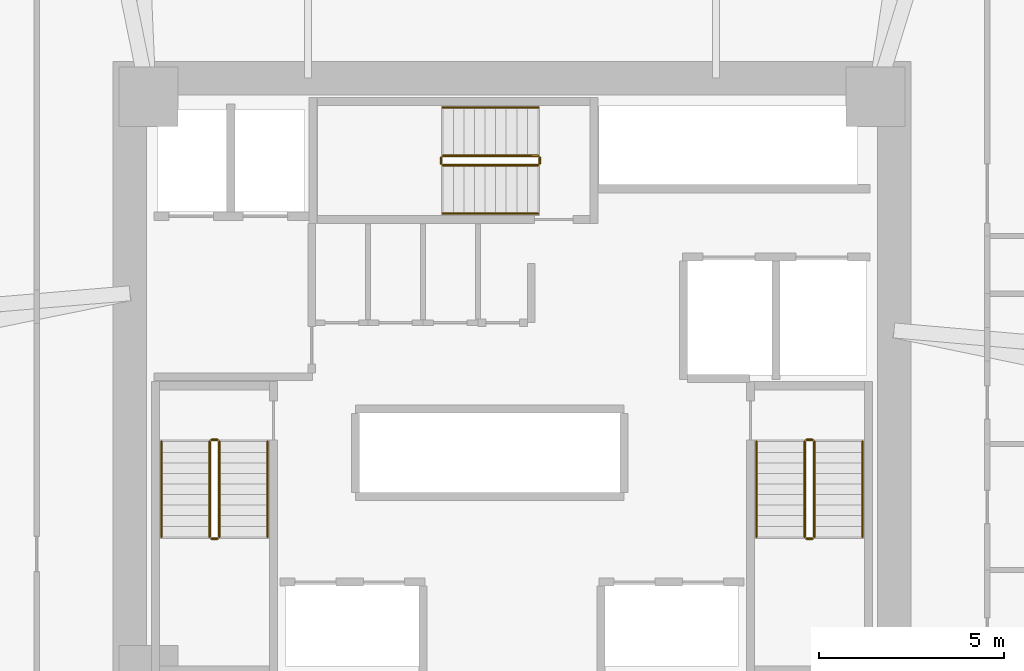
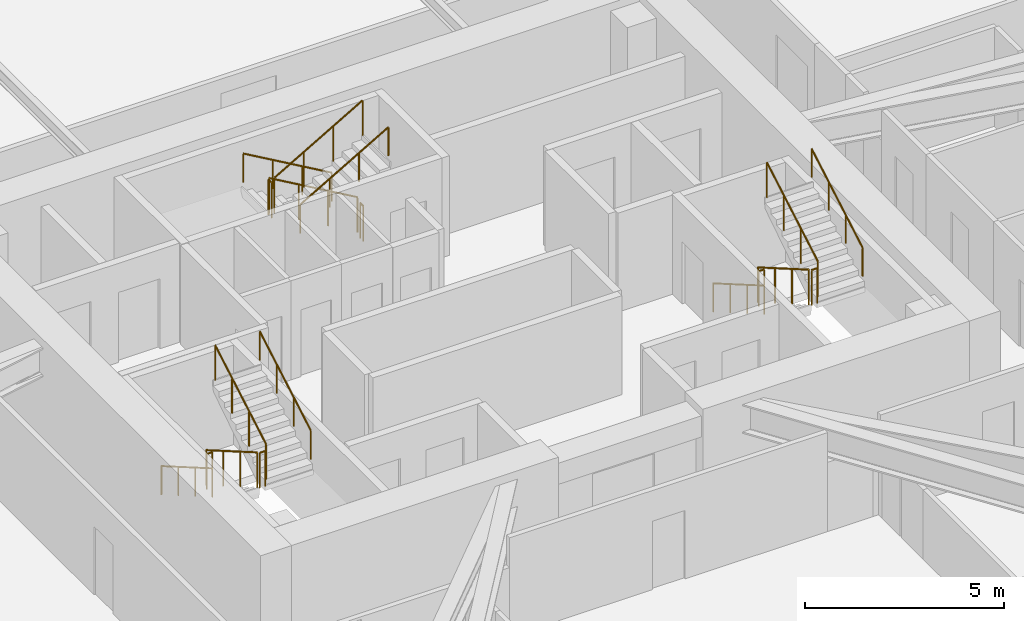
# One storey, part 14 of 14: 18 railings.
"""IFC4 building model written with IfcOpenShell, lengths in metres."""

from ifc_helpers import new_model, si_unit, direction, frame, origin, origin_2d, place, context, subcontext, project, spatial, circle, extrude, material, type_object, element, save


model = new_model("IFC4")

# Units and contexts
model_context = context("Model", 3, precision=1e-05, world=origin(), true_north=direction((0.0, 1.0)))
body_context = subcontext(model_context, "Body", "Model", "MODEL_VIEW")
ifc_project = project(units=[si_unit("LENGTHUNIT", "METRE"), si_unit("AREAUNIT", "SQUARE_METRE"), si_unit("VOLUMEUNIT", "CUBIC_METRE"), si_unit("PLANEANGLEUNIT", "RADIAN"), si_unit("MASSUNIT", "GRAM", prefix="KILO")], contexts=[model_context])

# Site, building, storey
site_placement = place(None, origin())
site = spatial("IfcSite", under=ifc_project, at=site_placement, CompositionType="ELEMENT")
building_placement = place(site_placement, origin())
building = spatial("IfcBuilding", under=site, at=building_placement, Name="Durnholm Broadcast Tower", CompositionType="ELEMENT")
storey_placement = place(building_placement, frame((0.0, 0.0, 68.699951171875)))
storey = spatial("IfcBuildingStorey", under=building, at=storey_placement, Name="L17", CompositionType="ELEMENT", Elevation=68.699951171875)

# Railings
ifc_material_1 = material(Name="Painted Tubular Steel Stair Guardrail", Category="steel")
railing_type_1 = type_object("IfcRailingType", Name="RAIL-ST-GRD", PredefinedType="GUARDRAIL", material=ifc_material_1)
railing_1_placement = place(storey_placement, frame((-8.14990234375, -1.5, 0.1650390625)))
element("IfcRailing", 1, at=railing_1_placement, inside=storey, type_object=railing_type_1, Name="L17 ST-1 stair guard 1", PredefinedType="GUARDRAIL", context=body_context, shape_type="SweptSolid", body=[
    extrude(circle(Radius=0.02392578125, at=origin_2d()), frame((0.0, 0.0, 1.076171875), z_axis=(0.0, -0.865405606168, 0.501071987656), x_axis=(1.0, 0.0, 0.0)), (0.0, 0.0, 1.0), 2.9638671875),
    extrude(circle(Radius=0.02099609375, at=origin_2d()), origin(), (0.0, 0.0, 1.0), 1.052001953125),
    extrude(circle(Radius=0.02099609375, at=origin_2d()), frame((0.0, -0.85498046875, 0.4951171875)), (0.0, 0.0, 1.0), 1.052001953125),
    extrude(circle(Radius=0.02099609375, at=origin_2d()), frame((0.0, -1.7099609375, 0.989990234375)), (0.0, 0.0, 1.0), 1.052001953125),
    extrude(circle(Radius=0.02099609375, at=origin_2d()), frame((0.0, -2.56494140625, 1.485107421875)), (0.0, 0.0, 1.0), 1.052001953125),
])
railing_2_placement = place(storey_placement, frame((-8.10009765625, -4.114990234375, 1.650146484375)))
element("IfcRailing", 2, at=railing_2_placement, inside=storey, type_object=railing_type_1, Name="L17 ST-1 stair guard 2", PredefinedType="GUARDRAIL", context=body_context, shape_type="SweptSolid", body=[
    extrude(circle(Radius=0.02392578125, at=origin_2d()), frame((0.0, 0.0, 1.076171875), z_axis=(1.0, 0.0, 0.0), x_axis=(0.0, 1.0, 0.0)), (0.0, 0.0, 1.0), 0.16015625),
    extrude(circle(Radius=0.02099609375, at=origin_2d()), origin(), (0.0, 0.0, 1.0), 1.052001953125),
    extrude(circle(Radius=0.02099609375, at=origin_2d()), frame((0.16015625, 0.0, 0.0)), (0.0, 0.0, 1.0), 1.052001953125),
])
railing_3_placement = place(storey_placement, frame((-7.889892578125, -4.06494140625, 1.81494140625)))
element("IfcRailing", 3, at=railing_3_placement, inside=storey, type_object=railing_type_1, Name="L17 ST-1 stair guard 3", PredefinedType="GUARDRAIL", context=body_context, shape_type="SweptSolid", body=[
    extrude(circle(Radius=0.02392578125, at=origin_2d()), frame((0.0, 0.0, 1.076171875), z_axis=(0.0, 0.865405606168, 0.501071987656), x_axis=(-1.0, 0.0, 0.0)), (0.0, 0.0, 1.0), 2.9638671875),
    extrude(circle(Radius=0.02099609375, at=origin_2d()), origin(), (0.0, 0.0, 1.0), 1.052001953125),
    extrude(circle(Radius=0.02099609375, at=origin_2d()), frame((0.0, 0.85498046875, 0.4951171875)), (0.0, 0.0, 1.0), 1.052001953125),
    extrude(circle(Radius=0.02099609375, at=origin_2d()), frame((0.0, 1.7099609375, 0.989990234375)), (0.0, 0.0, 1.0), 1.052001953125),
    extrude(circle(Radius=0.02099609375, at=origin_2d()), frame((0.0, 2.56494140625, 1.485107421875)), (0.0, 0.0, 1.0), 1.052001953125),
])
railing_4_placement = place(storey_placement, frame((-8.10009765625, -1.449951171875, 0.0)))
element("IfcRailing", 4, at=railing_4_placement, inside=storey, type_object=railing_type_1, Name="L17 ST-1 stair guard 4", PredefinedType="GUARDRAIL", context=body_context, shape_type="SweptSolid", body=[
    extrude(circle(Radius=0.02392578125, at=origin_2d()), frame((0.0, 0.0, 1.076171875), z_axis=(1.0, 0.0, 0.0), x_axis=(0.0, 1.0, 0.0)), (0.0, 0.0, 1.0), 0.16015625),
    extrude(circle(Radius=0.02099609375, at=origin_2d()), origin(), (0.0, 0.0, 1.0), 1.052001953125),
    extrude(circle(Radius=0.02099609375, at=origin_2d()), frame((0.16015625, 0.0, 0.0)), (0.0, 0.0, 1.0), 1.052001953125),
])
railing_5_placement = place(storey_placement, frame((7.889892578125, -1.5, 0.1650390625)))
element("IfcRailing", 5, at=railing_5_placement, inside=storey, type_object=railing_type_1, Name="L17 ST-2 stair guard 1", PredefinedType="GUARDRAIL", context=body_context, shape_type="SweptSolid", body=[
    extrude(circle(Radius=0.02392578125, at=origin_2d()), frame((0.0, 0.0, 1.076171875), z_axis=(0.0, -0.865405606168, 0.501071987656), x_axis=(1.0, 0.0, 0.0)), (0.0, 0.0, 1.0), 2.9638671875),
    extrude(circle(Radius=0.02099609375, at=origin_2d()), origin(), (0.0, 0.0, 1.0), 1.052001953125),
    extrude(circle(Radius=0.02099609375, at=origin_2d()), frame((0.0, -0.85498046875, 0.4951171875)), (0.0, 0.0, 1.0), 1.052001953125),
    extrude(circle(Radius=0.02099609375, at=origin_2d()), frame((0.0, -1.7099609375, 0.989990234375)), (0.0, 0.0, 1.0), 1.052001953125),
    extrude(circle(Radius=0.02099609375, at=origin_2d()), frame((0.0, -2.56494140625, 1.485107421875)), (0.0, 0.0, 1.0), 1.052001953125),
])
railing_6_placement = place(storey_placement, frame((7.93994140625, -4.114990234375, 1.650146484375)))
element("IfcRailing", 6, at=railing_6_placement, inside=storey, type_object=railing_type_1, Name="L17 ST-2 stair guard 2", PredefinedType="GUARDRAIL", context=body_context, shape_type="SweptSolid", body=[
    extrude(circle(Radius=0.02392578125, at=origin_2d()), frame((0.0, 0.0, 1.076171875), z_axis=(1.0, 0.0, 0.0), x_axis=(0.0, 1.0, 0.0)), (0.0, 0.0, 1.0), 0.16015625),
    extrude(circle(Radius=0.02099609375, at=origin_2d()), origin(), (0.0, 0.0, 1.0), 1.052001953125),
    extrude(circle(Radius=0.02099609375, at=origin_2d()), frame((0.16015625, 0.0, 0.0)), (0.0, 0.0, 1.0), 1.052001953125),
])
railing_7_placement = place(storey_placement, frame((8.14990234375, -4.06494140625, 1.81494140625)))
element("IfcRailing", 7, at=railing_7_placement, inside=storey, type_object=railing_type_1, Name="L17 ST-2 stair guard 3", PredefinedType="GUARDRAIL", context=body_context, shape_type="SweptSolid", body=[
    extrude(circle(Radius=0.02392578125, at=origin_2d()), frame((0.0, 0.0, 1.076171875), z_axis=(0.0, 0.865405606168, 0.501071987656), x_axis=(-1.0, 0.0, 0.0)), (0.0, 0.0, 1.0), 2.9638671875),
    extrude(circle(Radius=0.02099609375, at=origin_2d()), origin(), (0.0, 0.0, 1.0), 1.052001953125),
    extrude(circle(Radius=0.02099609375, at=origin_2d()), frame((0.0, 0.85498046875, 0.4951171875)), (0.0, 0.0, 1.0), 1.052001953125),
    extrude(circle(Radius=0.02099609375, at=origin_2d()), frame((0.0, 1.7099609375, 0.989990234375)), (0.0, 0.0, 1.0), 1.052001953125),
    extrude(circle(Radius=0.02099609375, at=origin_2d()), frame((0.0, 2.56494140625, 1.485107421875)), (0.0, 0.0, 1.0), 1.052001953125),
])
railing_8_placement = place(storey_placement, frame((7.93994140625, -1.449951171875, 0.0)))
element("IfcRailing", 8, at=railing_8_placement, inside=storey, type_object=railing_type_1, Name="L17 ST-2 stair guard 4", PredefinedType="GUARDRAIL", context=body_context, shape_type="SweptSolid", body=[
    extrude(circle(Radius=0.02392578125, at=origin_2d()), frame((0.0, 0.0, 1.076171875), z_axis=(1.0, 0.0, 0.0), x_axis=(0.0, 1.0, 0.0)), (0.0, 0.0, 1.0), 0.16015625),
    extrude(circle(Radius=0.02099609375, at=origin_2d()), origin(), (0.0, 0.0, 1.0), 1.052001953125),
    extrude(circle(Radius=0.02099609375, at=origin_2d()), frame((0.16015625, 0.0, 0.0)), (0.0, 0.0, 1.0), 1.052001953125),
])
railing_9_placement = place(storey_placement, frame((0.699951171875, 6.2099609375, 0.1650390625)))
element("IfcRailing", 9, at=railing_9_placement, inside=storey, type_object=railing_type_1, Name="L17 ST-3 stair guard 1", PredefinedType="GUARDRAIL", context=body_context, shape_type="SweptSolid", body=[
    extrude(circle(Radius=0.02392578125, at=origin_2d()), frame((0.0, 0.0, 1.076171875), z_axis=(-0.865405606168, 0.0, 0.501071987656), x_axis=(0.0, -1.0, 0.0)), (0.0, 0.0, 1.0), 2.9638671875),
    extrude(circle(Radius=0.02099609375, at=origin_2d()), origin(), (0.0, 0.0, 1.0), 1.052001953125),
    extrude(circle(Radius=0.02099609375, at=origin_2d()), frame((-0.85498046875, 0.0, 0.4951171875)), (0.0, 0.0, 1.0), 1.052001953125),
    extrude(circle(Radius=0.02099609375, at=origin_2d()), frame((-1.7099609375, 0.0, 0.989990234375)), (0.0, 0.0, 1.0), 1.052001953125),
    extrude(circle(Radius=0.02099609375, at=origin_2d()), frame((-2.56494140625, 0.0, 1.485107421875)), (0.0, 0.0, 1.0), 1.052001953125),
])
railing_10_placement = place(storey_placement, frame((-1.9150390625, 6.159912109375, 1.650146484375)))
element("IfcRailing", 10, at=railing_10_placement, inside=storey, type_object=railing_type_1, Name="L17 ST-3 stair guard 2", PredefinedType="GUARDRAIL", context=body_context, shape_type="SweptSolid", body=[
    extrude(circle(Radius=0.02392578125, at=origin_2d()), frame((0.0, 0.0, 1.076171875), z_axis=(0.0, -1.0, 0.0), x_axis=(1.0, 0.0, 0.0)), (0.0, 0.0, 1.0), 0.159912109375),
    extrude(circle(Radius=0.02099609375, at=origin_2d()), origin(), (0.0, 0.0, 1.0), 1.052001953125),
    extrude(circle(Radius=0.02099609375, at=origin_2d()), frame((0.0, -0.159912109375, 0.0)), (0.0, 0.0, 1.0), 1.052001953125),
])
railing_11_placement = place(storey_placement, frame((-1.864990234375, 5.949951171875, 1.81494140625)))
element("IfcRailing", 11, at=railing_11_placement, inside=storey, type_object=railing_type_1, Name="L17 ST-3 stair guard 3", PredefinedType="GUARDRAIL", context=body_context, shape_type="SweptSolid", body=[
    extrude(circle(Radius=0.02392578125, at=origin_2d()), frame((0.0, 0.0, 1.076171875), z_axis=(0.865405606168, 0.0, 0.501071987656), x_axis=(0.0, 1.0, 0.0)), (0.0, 0.0, 1.0), 2.9638671875),
    extrude(circle(Radius=0.02099609375, at=origin_2d()), origin(), (0.0, 0.0, 1.0), 1.052001953125),
    extrude(circle(Radius=0.02099609375, at=origin_2d()), frame((0.85498046875, 0.0, 0.4951171875)), (0.0, 0.0, 1.0), 1.052001953125),
    extrude(circle(Radius=0.02099609375, at=origin_2d()), frame((1.7099609375, 0.0, 0.989990234375)), (0.0, 0.0, 1.0), 1.052001953125),
    extrude(circle(Radius=0.02099609375, at=origin_2d()), frame((2.56494140625, 0.0, 1.485107421875)), (0.0, 0.0, 1.0), 1.052001953125),
])
railing_12_placement = place(storey_placement, frame((0.75, 6.159912109375, 0.0)))
element("IfcRailing", 12, at=railing_12_placement, inside=storey, type_object=railing_type_1, Name="L17 ST-3 stair guard 4", PredefinedType="GUARDRAIL", context=body_context, shape_type="SweptSolid", body=[
    extrude(circle(Radius=0.02392578125, at=origin_2d()), frame((0.0, 0.0, 1.076171875), z_axis=(0.0, -1.0, 0.0), x_axis=(1.0, 0.0, 0.0)), (0.0, 0.0, 1.0), 0.159912109375),
    extrude(circle(Radius=0.02099609375, at=origin_2d()), origin(), (0.0, 0.0, 1.0), 1.052001953125),
    extrude(circle(Radius=0.02099609375, at=origin_2d()), frame((0.0, -0.159912109375, 0.0)), (0.0, 0.0, 1.0), 1.052001953125),
])
ifc_material_2 = material(Name="Brushed Stainless Steel Handrail", Category="steel")
railing_type_2 = type_object("IfcRailingType", Name="RAIL-ST-HND", PredefinedType="HANDRAIL", material=ifc_material_2)
railing_13_placement = place(storey_placement, frame((-9.449951171875, -1.5, 0.330078125)))
element("IfcRailing", 13, at=railing_13_placement, inside=storey, type_object=railing_type_2, Name="L17 ST-1 stair handrail 1", PredefinedType="HANDRAIL", context=body_context, shape_type="SweptSolid", body=[
    extrude(circle(Radius=0.02392578125, at=origin_2d()), frame((0.0, 0.0, 0.8759765625), z_axis=(0.0, -0.865441324677, 0.50101029285), x_axis=(1.0, 0.0, 0.0)), (0.0, 0.0, 1.0), 2.963623046875),
    extrude(circle(Radius=0.02099609375, at=origin_2d()), origin(), (0.0, 0.0, 1.0), 0.851806640625),
    extrude(circle(Radius=0.02099609375, at=origin_2d()), frame((0.0, -0.85498046875, 0.494873046875)), (0.0, 0.0, 1.0), 0.851806640625),
    extrude(circle(Radius=0.02099609375, at=origin_2d()), frame((0.0, -1.7099609375, 0.989990234375)), (0.0, 0.0, 1.0), 0.851806640625),
    extrude(circle(Radius=0.02099609375, at=origin_2d()), frame((0.0, -2.56494140625, 1.48486328125)), (0.0, 0.0, 1.0), 0.851806640625),
])
railing_14_placement = place(storey_placement, frame((-6.590087890625, -4.06494140625, 1.97998046875)))
element("IfcRailing", 14, at=railing_14_placement, inside=storey, type_object=railing_type_2, Name="L17 ST-1 stair handrail 2", PredefinedType="HANDRAIL", context=body_context, shape_type="SweptSolid", body=[
    extrude(circle(Radius=0.02392578125, at=origin_2d()), frame((0.0, 0.0, 0.8759765625), z_axis=(0.0, 0.865405606168, 0.501071987656), x_axis=(-1.0, 0.0, 0.0)), (0.0, 0.0, 1.0), 2.9638671875),
    extrude(circle(Radius=0.02099609375, at=origin_2d()), origin(), (0.0, 0.0, 1.0), 0.851806640625),
    extrude(circle(Radius=0.02099609375, at=origin_2d()), frame((0.0, 0.85498046875, 0.4951171875)), (0.0, 0.0, 1.0), 0.851806640625),
    extrude(circle(Radius=0.02099609375, at=origin_2d()), frame((0.0, 1.7099609375, 0.989990234375)), (0.0, 0.0, 1.0), 0.851806640625),
    extrude(circle(Radius=0.02099609375, at=origin_2d()), frame((0.0, 2.56494140625, 1.485107421875)), (0.0, 0.0, 1.0), 0.851806640625),
])
railing_15_placement = place(storey_placement, frame((6.590087890625, -1.5, 0.330078125)))
element("IfcRailing", 15, at=railing_15_placement, inside=storey, type_object=railing_type_2, Name="L17 ST-2 stair handrail 1", PredefinedType="HANDRAIL", context=body_context, shape_type="SweptSolid", body=[
    extrude(circle(Radius=0.02392578125, at=origin_2d()), frame((0.0, 0.0, 0.8759765625), z_axis=(0.0, -0.865441324677, 0.50101029285), x_axis=(1.0, 0.0, 0.0)), (0.0, 0.0, 1.0), 2.963623046875),
    extrude(circle(Radius=0.02099609375, at=origin_2d()), origin(), (0.0, 0.0, 1.0), 0.851806640625),
    extrude(circle(Radius=0.02099609375, at=origin_2d()), frame((0.0, -0.85498046875, 0.494873046875)), (0.0, 0.0, 1.0), 0.851806640625),
    extrude(circle(Radius=0.02099609375, at=origin_2d()), frame((0.0, -1.7099609375, 0.989990234375)), (0.0, 0.0, 1.0), 0.851806640625),
    extrude(circle(Radius=0.02099609375, at=origin_2d()), frame((0.0, -2.56494140625, 1.48486328125)), (0.0, 0.0, 1.0), 0.851806640625),
])
railing_16_placement = place(storey_placement, frame((9.449951171875, -4.06494140625, 1.97998046875)))
element("IfcRailing", 16, at=railing_16_placement, inside=storey, type_object=railing_type_2, Name="L17 ST-2 stair handrail 2", PredefinedType="HANDRAIL", context=body_context, shape_type="SweptSolid", body=[
    extrude(circle(Radius=0.02392578125, at=origin_2d()), frame((0.0, 0.0, 0.8759765625), z_axis=(0.0, 0.865405606168, 0.501071987656), x_axis=(-1.0, 0.0, 0.0)), (0.0, 0.0, 1.0), 2.9638671875),
    extrude(circle(Radius=0.02099609375, at=origin_2d()), origin(), (0.0, 0.0, 1.0), 0.851806640625),
    extrude(circle(Radius=0.02099609375, at=origin_2d()), frame((0.0, 0.85498046875, 0.4951171875)), (0.0, 0.0, 1.0), 0.851806640625),
    extrude(circle(Radius=0.02099609375, at=origin_2d()), frame((0.0, 1.7099609375, 0.989990234375)), (0.0, 0.0, 1.0), 0.851806640625),
    extrude(circle(Radius=0.02099609375, at=origin_2d()), frame((0.0, 2.56494140625, 1.485107421875)), (0.0, 0.0, 1.0), 0.851806640625),
])
railing_17_placement = place(storey_placement, frame((0.699951171875, 7.510009765625, 0.330078125)))
element("IfcRailing", 17, at=railing_17_placement, inside=storey, type_object=railing_type_2, Name="L17 ST-3 stair handrail 1", PredefinedType="HANDRAIL", context=body_context, shape_type="SweptSolid", body=[
    extrude(circle(Radius=0.02392578125, at=origin_2d()), frame((0.0, 0.0, 0.8759765625), z_axis=(-0.865441324677, 0.0, 0.50101029285), x_axis=(0.0, -1.0, 0.0)), (0.0, 0.0, 1.0), 2.963623046875),
    extrude(circle(Radius=0.02099609375, at=origin_2d()), origin(), (0.0, 0.0, 1.0), 0.851806640625),
    extrude(circle(Radius=0.02099609375, at=origin_2d()), frame((-0.85498046875, 0.0, 0.494873046875)), (0.0, 0.0, 1.0), 0.851806640625),
    extrude(circle(Radius=0.02099609375, at=origin_2d()), frame((-1.7099609375, 0.0, 0.989990234375)), (0.0, 0.0, 1.0), 0.851806640625),
    extrude(circle(Radius=0.02099609375, at=origin_2d()), frame((-2.56494140625, 0.0, 1.48486328125)), (0.0, 0.0, 1.0), 0.851806640625),
])
railing_18_placement = place(storey_placement, frame((-1.864990234375, 4.64990234375, 1.97998046875)))
element("IfcRailing", 18, at=railing_18_placement, inside=storey, type_object=railing_type_2, Name="L17 ST-3 stair handrail 2", PredefinedType="HANDRAIL", context=body_context, shape_type="SweptSolid", body=[
    extrude(circle(Radius=0.02392578125, at=origin_2d()), frame((0.0, 0.0, 0.8759765625), z_axis=(0.865405606168, 0.0, 0.501071987656), x_axis=(0.0, 1.0, 0.0)), (0.0, 0.0, 1.0), 2.9638671875),
    extrude(circle(Radius=0.02099609375, at=origin_2d()), origin(), (0.0, 0.0, 1.0), 0.851806640625),
    extrude(circle(Radius=0.02099609375, at=origin_2d()), frame((0.85498046875, 0.0, 0.4951171875)), (0.0, 0.0, 1.0), 0.851806640625),
    extrude(circle(Radius=0.02099609375, at=origin_2d()), frame((1.7099609375, 0.0, 0.989990234375)), (0.0, 0.0, 1.0), 0.851806640625),
    extrude(circle(Radius=0.02099609375, at=origin_2d()), frame((2.56494140625, 0.0, 1.485107421875)), (0.0, 0.0, 1.0), 0.851806640625),
])

save(model, "model.ifc")
